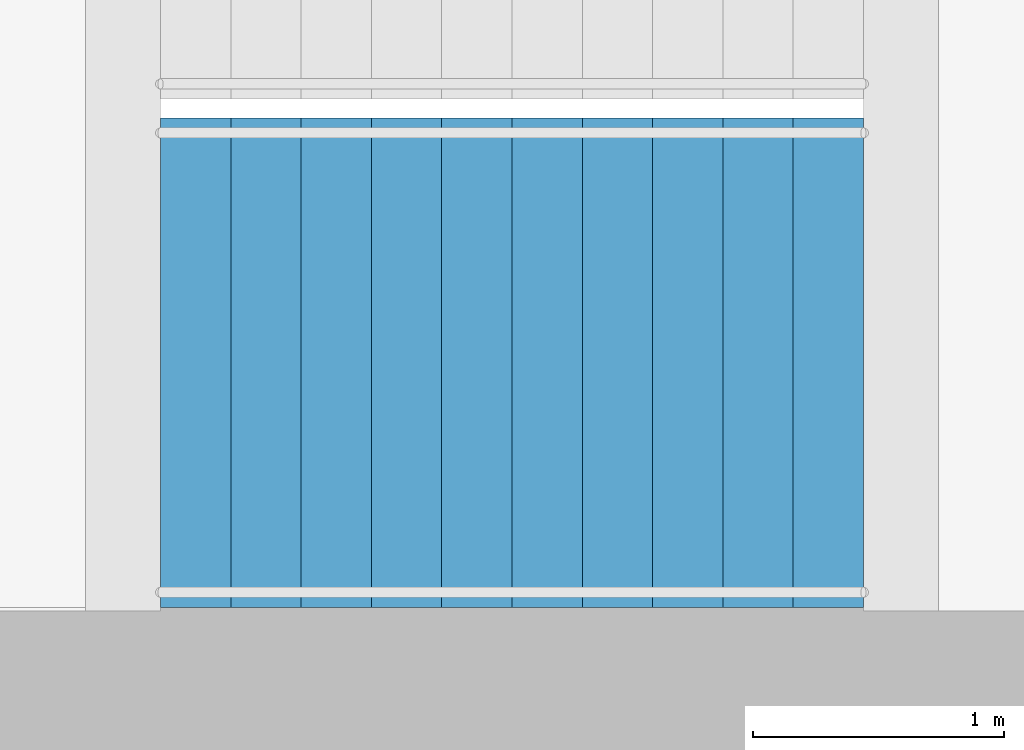
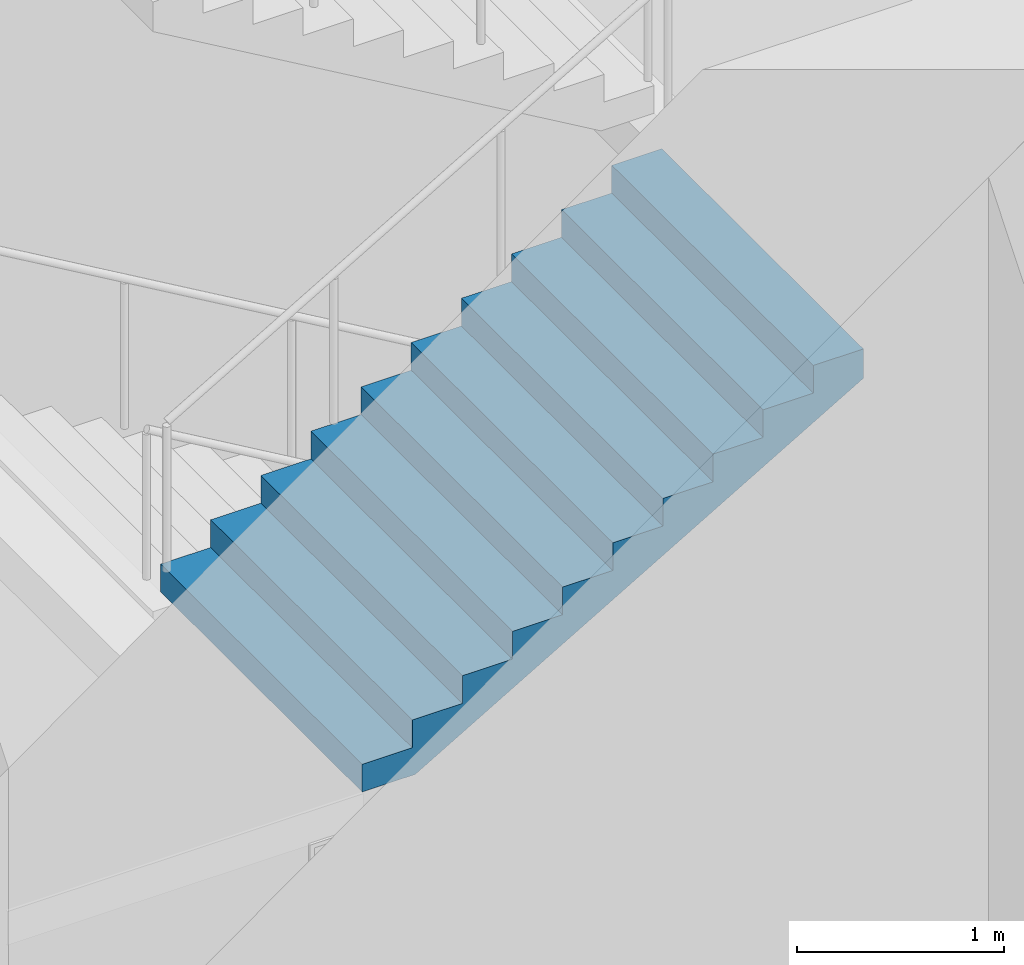
# One storey, part 15 of 22: 1 stair flight, 1 element without a shape of its own.
"""IFC4 building model written with IfcOpenShell, lengths in metres."""

from ifc_helpers import new_model, si_unit, direction, frame, origin, place, context, subcontext, project, spatial, triangles, material, type_object, element, aggregate, save


model = new_model("IFC4")

# Units and contexts
model_context = context("Model", 3, precision=1e-05, world=origin(), true_north=direction((0.0, 1.0)))
body_context = subcontext(model_context, "Body", "Model", "MODEL_VIEW")
ifc_project = project(units=[si_unit("LENGTHUNIT", "METRE"), si_unit("AREAUNIT", "SQUARE_METRE"), si_unit("VOLUMEUNIT", "CUBIC_METRE"), si_unit("PLANEANGLEUNIT", "RADIAN"), si_unit("MASSUNIT", "GRAM", prefix="KILO")], contexts=[model_context])

# Site, building, storey
site_placement = place(None, origin())
site = spatial("IfcSite", under=ifc_project, at=site_placement, CompositionType="ELEMENT")
building_placement = place(site_placement, origin())
building = spatial("IfcBuilding", under=site, at=building_placement, Name="Orbita Commons", CompositionType="ELEMENT")
storey_placement = place(building_placement, frame((0.0, 0.0, 133.14990234375)))
storey = spatial("IfcBuildingStorey", under=building, at=storey_placement, Name="L33", CompositionType="ELEMENT", Elevation=133.14990234375)

# Stair, stair flight
ifc_material_1 = material(Name="Precast concrete C40/50", Category="concrete")
stair_type = type_object("IfcStairType", Name="Exit stair S1 4 flights 11 risers 164", PredefinedType="HALF_TURN_STAIR", material=ifc_material_1)
stair_placement = place(storey_placement, origin())
stair = element("IfcStair", 1, at=stair_placement, inside=storey, type_object=stair_type, Name="Exit stair S1 L33", PredefinedType="HALF_TURN_STAIR")
ifc_material_2 = material(Name="Precast concrete C40/50", Category="concrete")
stair_flight_type = type_object("IfcStairFlightType", Name="Stair flight 11 risers 164 x 280", PredefinedType="STRAIGHT", material=ifc_material_2)
stair_flight_placement = place(storey_placement, frame((20.449951171875, 27.25, 3.60009765625), z_axis=(0.0, 0.0, 1.0), x_axis=(1.0, 0.0, 0.0)))
stair_flight = element("IfcStairFlight", 2, at=stair_flight_placement, type_object=stair_flight_type, Name="S1 flight 3", NumberOfRisers=11, NumberOfTreads=10, PredefinedType="STRAIGHT", RiserHeight=0.163636364, TreadLength=0.28, context=body_context, shape_type="Tessellation", body=[
    triangles([(0.0, 0.974976, 0.0), (0.0, 0.974976, 0.020455), (0.0, 0.81248, 0.020455), (0.0, 0.81248, 0.0), (0.0, 0.649984, 0.020455), (0.0, 0.649984, 0.0), (0.0, 0.487488, 0.020455), (0.0, 0.487488, 0.0), (0.0, 0.324992, 0.020455), (0.0, 0.324992, 0.0), (0.0, 0.162496, 0.020455), (0.0, 0.162496, 0.0), (0.0, 0.0, 0.020455), (0.0, 0.0, 0.0), (0.0, -0.162496, 0.020455), (0.0, -0.162496, 0.0), (0.0, -0.324992, 0.020455), (0.0, -0.324992, 0.0), (0.0, -0.487488, 0.020455), (0.0, -0.487488, 0.0), (0.0, -0.649984, 0.020455), (0.0, -0.649984, 0.0), (0.0, -0.81248, 0.020455), (0.0, -0.81248, 0.0), (0.0, -0.974976, 0.020455), (0.0, -0.974976, 0.0), (0.0, 0.974976, 0.040909), (0.0, 0.81248, 0.040909), (0.0, 0.649984, 0.040909), (0.0, 0.487488, 0.040909), (0.0, 0.324992, 0.040909), (0.0, 0.162496, 0.040909), (0.0, 0.0, 0.040909), (0.0, -0.162496, 0.040909), (0.0, -0.324992, 0.040909), (0.0, -0.487488, 0.040909), (0.0, -0.649984, 0.040909), (0.0, -0.81248, 0.040909), (0.0, -0.974976, 0.040909), (0.0, 0.974976, 0.061364), (0.0, 0.81248, 0.061364), (0.0, 0.649984, 0.061364), (0.0, 0.487488, 0.061364), (0.0, 0.324992, 0.061364), (0.0, 0.162496, 0.061364), (0.0, 0.0, 0.061364), (0.0, -0.162496, 0.061364), (0.0, -0.324992, 0.061364), (0.0, -0.487488, 0.061364), (0.0, -0.649984, 0.061364), (0.0, -0.81248, 0.061364), (0.0, -0.974976, 0.061364), (0.0, 0.974976, 0.081818), (0.0, 0.81248, 0.081818), (0.0, 0.649984, 0.081818), (0.0, 0.487488, 0.081818), (0.0, 0.324992, 0.081818), (0.0, 0.162496, 0.081818), (0.0, 0.0, 0.081818), (0.0, -0.162496, 0.081818), (0.0, -0.324992, 0.081818), (0.0, -0.487488, 0.081818), (0.0, -0.649984, 0.081818), (0.0, -0.81248, 0.081818), (0.0, -0.974976, 0.081818), (0.0, 0.974976, 0.102273), (0.0, 0.81248, 0.102273), (0.0, 0.649984, 0.102273), (0.0, 0.487488, 0.102273), (0.0, 0.324992, 0.102273), (0.0, 0.162496, 0.102273), (0.0, 0.0, 0.102273), (0.0, -0.162496, 0.102273), (0.0, -0.324992, 0.102273), (0.0, -0.487488, 0.102273), (0.0, -0.649984, 0.102273), (0.0, -0.81248, 0.102273), (0.0, -0.974976, 0.102273), (0.0, 0.974976, 0.122727), (0.0, 0.81248, 0.122727), (0.0, 0.649984, 0.122727), (0.0, 0.487488, 0.122727), (0.0, 0.324992, 0.122727), (0.0, 0.162496, 0.122727), (0.0, 0.0, 0.122727), (0.0, -0.162496, 0.122727), (0.0, -0.324992, 0.122727), (0.0, -0.487488, 0.122727), (0.0, -0.649984, 0.122727), (0.0, -0.81248, 0.122727), (0.0, -0.974976, 0.122727), (0.0, 0.974976, 0.143182), (0.0, 0.81248, 0.143182), (0.0, 0.649984, 0.143182), (0.0, 0.487488, 0.143182), (0.0, 0.324992, 0.143182), (0.0, 0.162496, 0.143182), (0.0, 0.0, 0.143182), (0.0, -0.162496, 0.143182), (0.0, -0.324992, 0.143182), (0.0, -0.487488, 0.143182), (0.0, -0.649984, 0.143182), (0.0, -0.81248, 0.143182), (0.0, -0.974976, 0.143182), (0.0, 0.974976, 0.163636), (0.0, 0.81248, 0.163636), (0.0, 0.649984, 0.163636), (0.0, 0.487488, 0.163636), (0.0, 0.324992, 0.163636), (0.0, 0.162496, 0.163636), (0.0, 0.0, 0.163636), (0.0, -0.162496, 0.163636), (0.0, -0.324992, 0.163636), (0.0, -0.487488, 0.163636), (0.0, -0.649984, 0.163636), (0.0, -0.81248, 0.163636), (0.0, -0.974976, 0.163636), (0.28, 0.974976, 0.163636), (0.28, 0.81248, 0.163636), (0.28, 0.649984, 0.163636), (0.28, 0.487488, 0.163636), (0.28, 0.324992, 0.163636), (0.28, 0.162496, 0.163636), (0.28, 0.0, 0.163636), (0.28, -0.162496, 0.163636), (0.28, -0.324992, 0.163636), (0.28, -0.487488, 0.163636), (0.28, -0.649984, 0.163636), (0.28, -0.81248, 0.163636), (0.28, -0.974976, 0.163636), (0.28, 0.974976, 0.327273), (0.28, 0.81248, 0.327273), (0.28, 0.649984, 0.327273), (0.28, 0.487488, 0.327273), (0.28, 0.324992, 0.327273), (0.28, 0.162496, 0.327273), (0.28, 0.0, 0.327273), (0.28, -0.162496, 0.327273), (0.28, -0.324992, 0.327273), (0.28, -0.487488, 0.327273), (0.28, -0.649984, 0.327273), (0.28, -0.81248, 0.327273), (0.28, -0.974976, 0.327273), (0.56, 0.974976, 0.327273), (0.56, 0.81248, 0.327273), (0.56, 0.649984, 0.327273), (0.56, 0.487488, 0.327273), (0.56, 0.324992, 0.327273), (0.56, 0.162496, 0.327273), (0.56, 0.0, 0.327273), (0.56, -0.162496, 0.327273), (0.56, -0.324992, 0.327273), (0.56, -0.487488, 0.327273), (0.56, -0.649984, 0.327273), (0.56, -0.81248, 0.327273), (0.56, -0.974976, 0.327273), (0.56, 0.974976, 0.490909), (0.56, 0.81248, 0.490909), (0.56, 0.649984, 0.490909), (0.56, 0.487488, 0.490909), (0.56, 0.324992, 0.490909), (0.56, 0.162496, 0.490909), (0.56, 0.0, 0.490909), (0.56, -0.162496, 0.490909), (0.56, -0.324992, 0.490909), (0.56, -0.487488, 0.490909), (0.56, -0.649984, 0.490909), (0.56, -0.81248, 0.490909), (0.56, -0.974976, 0.490909), (0.84, 0.974976, 0.490909), (0.84, 0.81248, 0.490909), (0.84, 0.649984, 0.490909), (0.84, 0.487488, 0.490909), (0.84, 0.324992, 0.490909), (0.84, 0.162496, 0.490909), (0.84, 0.0, 0.490909), (0.84, -0.162496, 0.490909), (0.84, -0.324992, 0.490909), (0.84, -0.487488, 0.490909), (0.84, -0.649984, 0.490909), (0.84, -0.81248, 0.490909), (0.84, -0.974976, 0.490909), (0.84, 0.974976, 0.654545), (0.84, 0.81248, 0.654545), (0.84, 0.649984, 0.654545), (0.84, 0.487488, 0.654545), (0.84, 0.324992, 0.654545), (0.84, 0.162496, 0.654545), (0.84, 0.0, 0.654545), (0.84, -0.162496, 0.654545), (0.84, -0.324992, 0.654545), (0.84, -0.487488, 0.654545), (0.84, -0.649984, 0.654545), (0.84, -0.81248, 0.654545), (0.84, -0.974976, 0.654545), (1.12, 0.974976, 0.654545), (1.12, 0.81248, 0.654545), (1.12, 0.649984, 0.654545), (1.12, 0.487488, 0.654545), (1.12, 0.324992, 0.654545), (1.12, 0.162496, 0.654545), (1.12, 0.0, 0.654545), (1.12, -0.162496, 0.654545), (1.12, -0.324992, 0.654545), (1.12, -0.487488, 0.654545), (1.12, -0.649984, 0.654545), (1.12, -0.81248, 0.654545), (1.12, -0.974976, 0.654545), (1.12, 0.974976, 0.818182), (1.12, 0.81248, 0.818182), (1.12, 0.649984, 0.818182), (1.12, 0.487488, 0.818182), (1.12, 0.324992, 0.818182), (1.12, 0.162496, 0.818182), (1.12, 0.0, 0.818182), (1.12, -0.162496, 0.818182), (1.12, -0.324992, 0.818182), (1.12, -0.487488, 0.818182), (1.12, -0.649984, 0.818182), (1.12, -0.81248, 0.818182), (1.12, -0.974976, 0.818182), (1.4, 0.974976, 0.818182), (1.4, 0.81248, 0.818182), (1.4, 0.649984, 0.818182), (1.4, 0.487488, 0.818182), (1.4, 0.324992, 0.818182), (1.4, 0.162496, 0.818182), (1.4, 0.0, 0.818182), (1.4, -0.162496, 0.818182), (1.4, -0.324992, 0.818182), (1.4, -0.487488, 0.818182), (1.4, -0.649984, 0.818182), (1.4, -0.81248, 0.818182), (1.4, -0.974976, 0.818182), (1.4, 0.974976, 0.981818), (1.4, 0.81248, 0.981818), (1.4, 0.649984, 0.981818), (1.4, 0.487488, 0.981818), (1.4, 0.324992, 0.981818), (1.4, 0.162496, 0.981818), (1.4, 0.0, 0.981818), (1.4, -0.162496, 0.981818), (1.4, -0.324992, 0.981818), (1.4, -0.487488, 0.981818), (1.4, -0.649984, 0.981818), (1.4, -0.81248, 0.981818), (1.4, -0.974976, 0.981818), (1.68, 0.974976, 0.981818), (1.68, 0.81248, 0.981818), (1.68, 0.649984, 0.981818), (1.68, 0.487488, 0.981818), (1.68, 0.324992, 0.981818), (1.68, 0.162496, 0.981818), (1.68, 0.0, 0.981818), (1.68, -0.162496, 0.981818), (1.68, -0.324992, 0.981818), (1.68, -0.487488, 0.981818), (1.68, -0.649984, 0.981818), (1.68, -0.81248, 0.981818), (1.68, -0.974976, 0.981818), (1.68, 0.974976, 1.145455), (1.68, 0.81248, 1.145455), (1.68, 0.649984, 1.145455), (1.68, 0.487488, 1.145455), (1.68, 0.324992, 1.145455), (1.68, 0.162496, 1.145455), (1.68, 0.0, 1.145455), (1.68, -0.162496, 1.145455), (1.68, -0.324992, 1.145455), (1.68, -0.487488, 1.145455), (1.68, -0.649984, 1.145455), (1.68, -0.81248, 1.145455), (1.68, -0.974976, 1.145455), (1.96, 0.974976, 1.145455), (1.96, 0.81248, 1.145455), (1.96, 0.649984, 1.145455), (1.96, 0.487488, 1.145455), (1.96, 0.324992, 1.145455), (1.96, 0.162496, 1.145455), (1.96, 0.0, 1.145455), (1.96, -0.162496, 1.145455), (1.96, -0.324992, 1.145455), (1.96, -0.487488, 1.145455), (1.96, -0.649984, 1.145455), (1.96, -0.81248, 1.145455), (1.96, -0.974976, 1.145455), (1.96, 0.974976, 1.309091), (1.96, 0.81248, 1.309091), (1.96, 0.649984, 1.309091), (1.96, 0.487488, 1.309091), (1.96, 0.324992, 1.309091), (1.96, 0.162496, 1.309091), (1.96, 0.0, 1.309091), (1.96, -0.162496, 1.309091), (1.96, -0.324992, 1.309091), (1.96, -0.487488, 1.309091), (1.96, -0.649984, 1.309091), (1.96, -0.81248, 1.309091), (1.96, -0.974976, 1.309091), (2.24, 0.974976, 1.309091), (2.24, 0.81248, 1.309091), (2.24, 0.649984, 1.309091), (2.24, 0.487488, 1.309091), (2.24, 0.324992, 1.309091), (2.24, 0.162496, 1.309091), (2.24, 0.0, 1.309091), (2.24, -0.162496, 1.309091), (2.24, -0.324992, 1.309091), (2.24, -0.487488, 1.309091), (2.24, -0.649984, 1.309091), (2.24, -0.81248, 1.309091), (2.24, -0.974976, 1.309091), (2.24, 0.974976, 1.472727), (2.24, 0.81248, 1.472727), (2.24, 0.649984, 1.472727), (2.24, 0.487488, 1.472727), (2.24, 0.324992, 1.472727), (2.24, 0.162496, 1.472727), (2.24, 0.0, 1.472727), (2.24, -0.162496, 1.472727), (2.24, -0.324992, 1.472727), (2.24, -0.487488, 1.472727), (2.24, -0.649984, 1.472727), (2.24, -0.81248, 1.472727), (2.24, -0.974976, 1.472727), (2.52, 0.974976, 1.472727), (2.52, 0.81248, 1.472727), (2.52, 0.649984, 1.472727), (2.52, 0.487488, 1.472727), (2.52, 0.324992, 1.472727), (2.52, 0.162496, 1.472727), (2.52, 0.0, 1.472727), (2.52, -0.162496, 1.472727), (2.52, -0.324992, 1.472727), (2.52, -0.487488, 1.472727), (2.52, -0.649984, 1.472727), (2.52, -0.81248, 1.472727), (2.52, -0.974976, 1.472727), (2.52, 0.974976, 1.636364), (2.52, 0.81248, 1.636364), (2.52, 0.649984, 1.636364), (2.52, 0.487488, 1.636364), (2.52, 0.324992, 1.636364), (2.52, 0.162496, 1.636364), (2.52, 0.0, 1.636364), (2.52, -0.162496, 1.636364), (2.52, -0.324992, 1.636364), (2.52, -0.487488, 1.636364), (2.52, -0.649984, 1.636364), (2.52, -0.81248, 1.636364), (2.52, -0.974976, 1.636364), (2.8, 0.974976, 1.636364), (2.8, 0.81248, 1.636364), (2.8, 0.649984, 1.636364), (2.8, 0.487488, 1.636364), (2.8, 0.324992, 1.636364), (2.8, 0.162496, 1.636364), (2.8, 0.0, 1.636364), (2.8, -0.162496, 1.636364), (2.8, -0.324992, 1.636364), (2.8, -0.487488, 1.636364), (2.8, -0.649984, 1.636364), (2.8, -0.81248, 1.636364), (2.8, -0.974976, 1.636364), (2.8, 0.974976, 1.614661), (2.8, 0.81248, 1.614661), (2.8, 0.649984, 1.614661), (2.8, 0.487488, 1.614661), (2.8, 0.324992, 1.614661), (2.8, 0.162496, 1.614661), (2.8, 0.0, 1.614661), (2.8, -0.162496, 1.614661), (2.8, -0.324992, 1.614661), (2.8, -0.487488, 1.614661), (2.8, -0.649984, 1.614661), (2.8, -0.81248, 1.614661), (2.8, -0.974976, 1.614661), (2.8, 0.974976, 1.592958), (2.8, 0.81248, 1.592958), (2.8, 0.649984, 1.592958), (2.8, 0.487488, 1.592958), (2.8, 0.324992, 1.592958), (2.8, 0.162496, 1.592958), (2.8, 0.0, 1.592958), (2.8, -0.162496, 1.592958), (2.8, -0.324992, 1.592958), (2.8, -0.487488, 1.592958), (2.8, -0.649984, 1.592958), (2.8, -0.81248, 1.592958), (2.8, -0.974976, 1.592958), (2.8, 0.974976, 1.571255), (2.8, 0.81248, 1.571255), (2.8, 0.649984, 1.571255), (2.8, 0.487488, 1.571255), (2.8, 0.324992, 1.571255), (2.8, 0.162496, 1.571255), (2.8, 0.0, 1.571255), (2.8, -0.162496, 1.571255), (2.8, -0.324992, 1.571255), (2.8, -0.487488, 1.571255), (2.8, -0.649984, 1.571255), (2.8, -0.81248, 1.571255), (2.8, -0.974976, 1.571255), (2.8, 0.974976, 1.549551), (2.8, 0.81248, 1.549551), (2.8, 0.649984, 1.549551), (2.8, 0.487488, 1.549551), (2.8, 0.324992, 1.549551), (2.8, 0.162496, 1.549551), (2.8, 0.0, 1.549551), (2.8, -0.162496, 1.549551), (2.8, -0.324992, 1.549551), (2.8, -0.487488, 1.549551), (2.8, -0.649984, 1.549551), (2.8, -0.81248, 1.549551), (2.8, -0.974976, 1.549551), (2.8, 0.974976, 1.527848), (2.8, 0.81248, 1.527848), (2.8, 0.649984, 1.527848), (2.8, 0.487488, 1.527848), (2.8, 0.324992, 1.527848), (2.8, 0.162496, 1.527848), (2.8, 0.0, 1.527848), (2.8, -0.162496, 1.527848), (2.8, -0.324992, 1.527848), (2.8, -0.487488, 1.527848), (2.8, -0.649984, 1.527848), (2.8, -0.81248, 1.527848), (2.8, -0.974976, 1.527848), (2.8, 0.974976, 1.506145), (2.8, 0.81248, 1.506145), (2.8, 0.649984, 1.506145), (2.8, 0.487488, 1.506145), (2.8, 0.324992, 1.506145), (2.8, 0.162496, 1.506145), (2.8, 0.0, 1.506145), (2.8, -0.162496, 1.506145), (2.8, -0.324992, 1.506145), (2.8, -0.487488, 1.506145), (2.8, -0.649984, 1.506145), (2.8, -0.81248, 1.506145), (2.8, -0.974976, 1.506145), (2.8, 0.974976, 1.484442), (2.8, 0.81248, 1.484442), (2.8, 0.649984, 1.484442), (2.8, 0.487488, 1.484442), (2.8, 0.324992, 1.484442), (2.8, 0.162496, 1.484442), (2.8, 0.0, 1.484442), (2.8, -0.162496, 1.484442), (2.8, -0.324992, 1.484442), (2.8, -0.487488, 1.484442), (2.8, -0.649984, 1.484442), (2.8, -0.81248, 1.484442), (2.8, -0.974976, 1.484442), (2.8, 0.974976, 1.462739), (2.8, 0.81248, 1.462739), (2.8, 0.649984, 1.462739), (2.8, 0.487488, 1.462739), (2.8, 0.324992, 1.462739), (2.8, 0.162496, 1.462739), (2.8, 0.0, 1.462739), (2.8, -0.162496, 1.462739), (2.8, -0.324992, 1.462739), (2.8, -0.487488, 1.462739), (2.8, -0.649984, 1.462739), (2.8, -0.81248, 1.462739), (2.8, -0.974976, 1.462739), (0.29709, 0.974976, 0.0), (0.29709, 0.81248, 0.0), (0.29709, 0.649984, 0.0), (0.29709, 0.487488, 0.0), (0.29709, 0.324992, 0.0), (0.29709, 0.162496, 0.0), (0.29709, 0.0, 0.0), (0.29709, -0.162496, 0.0), (0.29709, -0.324992, 0.0), (0.29709, -0.487488, 0.0), (0.29709, -0.649984, 0.0), (0.29709, -0.81248, 0.0), (0.29709, -0.974976, 0.0)], [[3, 2, 1], [4, 3, 1], [5, 3, 4], [6, 5, 4], [7, 5, 6], [8, 7, 6], [9, 7, 8], [10, 9, 8], [11, 9, 10], [12, 11, 10], [13, 11, 12], [14, 13, 12], [15, 13, 14], [16, 15, 14], [17, 15, 16], [18, 17, 16], [19, 17, 18], [20, 19, 18], [21, 19, 20], [22, 21, 20], [23, 21, 22], [24, 23, 22], [25, 23, 24], [26, 25, 24], [28, 27, 2], [3, 28, 2], [29, 28, 3], [5, 29, 3], [30, 29, 5], [7, 30, 5], [31, 30, 7], [9, 31, 7], [32, 31, 9], [11, 32, 9], [33, 32, 11], [13, 33, 11], [34, 33, 13], [15, 34, 13], [35, 34, 15], [17, 35, 15], [36, 35, 17], [19, 36, 17], [37, 36, 19], [21, 37, 19], [38, 37, 21], [23, 38, 21], [39, 38, 23], [25, 39, 23], [41, 40, 27], [28, 41, 27], [42, 41, 28], [29, 42, 28], [43, 42, 29], [30, 43, 29], [44, 43, 30], [31, 44, 30], [45, 44, 31], [32, 45, 31], [46, 45, 32], [33, 46, 32], [47, 46, 33], [34, 47, 33], [48, 47, 34], [35, 48, 34], [49, 48, 35], [36, 49, 35], [50, 49, 36], [37, 50, 36], [51, 50, 37], [38, 51, 37], [52, 51, 38], [39, 52, 38], [54, 53, 40], [41, 54, 40], [55, 54, 41], [42, 55, 41], [56, 55, 42], [43, 56, 42], [57, 56, 43], [44, 57, 43], [58, 57, 44], [45, 58, 44], [59, 58, 45], [46, 59, 45], [60, 59, 46], [47, 60, 46], [61, 60, 47], [48, 61, 47], [62, 61, 48], [49, 62, 48], [63, 62, 49], [50, 63, 49], [64, 63, 50], [51, 64, 50], [65, 64, 51], [52, 65, 51], [67, 66, 53], [54, 67, 53], [68, 67, 54], [55, 68, 54], [69, 68, 55], [56, 69, 55], [70, 69, 56], [57, 70, 56], [71, 70, 57], [58, 71, 57], [72, 71, 58], [59, 72, 58], [73, 72, 59], [60, 73, 59], [74, 73, 60], [61, 74, 60], [75, 74, 61], [62, 75, 61], [76, 75, 62], [63, 76, 62], [77, 76, 63], [64, 77, 63], [78, 77, 64], [65, 78, 64], [80, 79, 66], [67, 80, 66], [81, 80, 67], [68, 81, 67], [82, 81, 68], [69, 82, 68], [83, 82, 69], [70, 83, 69], [84, 83, 70], [71, 84, 70], [85, 84, 71], [72, 85, 71], [86, 85, 72], [73, 86, 72], [87, 86, 73], [74, 87, 73], [88, 87, 74], [75, 88, 74], [89, 88, 75], [76, 89, 75], [90, 89, 76], [77, 90, 76], [91, 90, 77], [78, 91, 77], [93, 92, 79], [80, 93, 79], [94, 93, 80], [81, 94, 80], [95, 94, 81], [82, 95, 81], [96, 95, 82], [83, 96, 82], [97, 96, 83], [84, 97, 83], [98, 97, 84], [85, 98, 84], [99, 98, 85], [86, 99, 85], [100, 99, 86], [87, 100, 86], [101, 100, 87], [88, 101, 87], [102, 101, 88], [89, 102, 88], [103, 102, 89], [90, 103, 89], [104, 103, 90], [91, 104, 90], [106, 105, 92], [93, 106, 92], [107, 106, 93], [94, 107, 93], [108, 107, 94], [95, 108, 94], [109, 108, 95], [96, 109, 95], [110, 109, 96], [97, 110, 96], [111, 110, 97], [98, 111, 97], [112, 111, 98], [99, 112, 98], [113, 112, 99], [100, 113, 99], [114, 113, 100], [101, 114, 100], [115, 114, 101], [102, 115, 101], [116, 115, 102], [103, 116, 102], [117, 116, 103], [104, 117, 103], [119, 118, 105], [106, 119, 105], [120, 119, 106], [107, 120, 106], [121, 120, 107], [108, 121, 107], [122, 121, 108], [109, 122, 108], [123, 122, 109], [110, 123, 109], [124, 123, 110], [111, 124, 110], [125, 124, 111], [112, 125, 111], [126, 125, 112], [113, 126, 112], [127, 126, 113], [114, 127, 113], [128, 127, 114], [115, 128, 114], [129, 128, 115], [116, 129, 115], [130, 129, 116], [117, 130, 116], [132, 131, 118], [119, 132, 118], [133, 132, 119], [120, 133, 119], [134, 133, 120], [121, 134, 120], [135, 134, 121], [122, 135, 121], [136, 135, 122], [123, 136, 122], [137, 136, 123], [124, 137, 123], [138, 137, 124], [125, 138, 124], [139, 138, 125], [126, 139, 125], [140, 139, 126], [127, 140, 126], [141, 140, 127], [128, 141, 127], [142, 141, 128], [129, 142, 128], [143, 142, 129], [130, 143, 129], [145, 144, 131], [132, 145, 131], [146, 145, 132], [133, 146, 132], [147, 146, 133], [134, 147, 133], [148, 147, 134], [135, 148, 134], [149, 148, 135], [136, 149, 135], [150, 149, 136], [137, 150, 136], [151, 150, 137], [138, 151, 137], [152, 151, 138], [139, 152, 138], [153, 152, 139], [140, 153, 139], [154, 153, 140], [141, 154, 140], [155, 154, 141], [142, 155, 141], [156, 155, 142], [143, 156, 142], [158, 157, 144], [145, 158, 144], [159, 158, 145], [146, 159, 145], [160, 159, 146], [147, 160, 146], [161, 160, 147], [148, 161, 147], [162, 161, 148], [149, 162, 148], [163, 162, 149], [150, 163, 149], [164, 163, 150], [151, 164, 150], [165, 164, 151], [152, 165, 151], [166, 165, 152], [153, 166, 152], [167, 166, 153], [154, 167, 153], [168, 167, 154], [155, 168, 154], [169, 168, 155], [156, 169, 155], [171, 170, 157], [158, 171, 157], [172, 171, 158], [159, 172, 158], [173, 172, 159], [160, 173, 159], [174, 173, 160], [161, 174, 160], [175, 174, 161], [162, 175, 161], [176, 175, 162], [163, 176, 162], [177, 176, 163], [164, 177, 163], [178, 177, 164], [165, 178, 164], [179, 178, 165], [166, 179, 165], [180, 179, 166], [167, 180, 166], [181, 180, 167], [168, 181, 167], [182, 181, 168], [169, 182, 168], [184, 183, 170], [171, 184, 170], [185, 184, 171], [172, 185, 171], [186, 185, 172], [173, 186, 172], [187, 186, 173], [174, 187, 173], [188, 187, 174], [175, 188, 174], [189, 188, 175], [176, 189, 175], [190, 189, 176], [177, 190, 176], [191, 190, 177], [178, 191, 177], [192, 191, 178], [179, 192, 178], [193, 192, 179], [180, 193, 179], [194, 193, 180], [181, 194, 180], [195, 194, 181], [182, 195, 181], [197, 196, 183], [184, 197, 183], [198, 197, 184], [185, 198, 184], [199, 198, 185], [186, 199, 185], [200, 199, 186], [187, 200, 186], [201, 200, 187], [188, 201, 187], [202, 201, 188], [189, 202, 188], [203, 202, 189], [190, 203, 189], [204, 203, 190], [191, 204, 190], [205, 204, 191], [192, 205, 191], [206, 205, 192], [193, 206, 192], [207, 206, 193], [194, 207, 193], [208, 207, 194], [195, 208, 194], [210, 209, 196], [197, 210, 196], [211, 210, 197], [198, 211, 197], [212, 211, 198], [199, 212, 198], [213, 212, 199], [200, 213, 199], [214, 213, 200], [201, 214, 200], [215, 214, 201], [202, 215, 201], [216, 215, 202], [203, 216, 202], [217, 216, 203], [204, 217, 203], [218, 217, 204], [205, 218, 204], [219, 218, 205], [206, 219, 205], [220, 219, 206], [207, 220, 206], [221, 220, 207], [208, 221, 207], [223, 222, 209], [210, 223, 209], [224, 223, 210], [211, 224, 210], [225, 224, 211], [212, 225, 211], [226, 225, 212], [213, 226, 212], [227, 226, 213], [214, 227, 213], [228, 227, 214], [215, 228, 214], [229, 228, 215], [216, 229, 215], [230, 229, 216], [217, 230, 216], [231, 230, 217], [218, 231, 217], [232, 231, 218], [219, 232, 218], [233, 232, 219], [220, 233, 219], [234, 233, 220], [221, 234, 220], [236, 235, 222], [223, 236, 222], [237, 236, 223], [224, 237, 223], [238, 237, 224], [225, 238, 224], [239, 238, 225], [226, 239, 225], [240, 239, 226], [227, 240, 226], [241, 240, 227], [228, 241, 227], [242, 241, 228], [229, 242, 228], [243, 242, 229], [230, 243, 229], [244, 243, 230], [231, 244, 230], [245, 244, 231], [232, 245, 231], [246, 245, 232], [233, 246, 232], [247, 246, 233], [234, 247, 233], [249, 248, 235], [236, 249, 235], [250, 249, 236], [237, 250, 236], [251, 250, 237], [238, 251, 237], [252, 251, 238], [239, 252, 238], [253, 252, 239], [240, 253, 239], [254, 253, 240], [241, 254, 240], [255, 254, 241], [242, 255, 241], [256, 255, 242], [243, 256, 242], [257, 256, 243], [244, 257, 243], [258, 257, 244], [245, 258, 244], [259, 258, 245], [246, 259, 245], [260, 259, 246], [247, 260, 246], [262, 261, 248], [249, 262, 248], [263, 262, 249], [250, 263, 249], [264, 263, 250], [251, 264, 250], [265, 264, 251], [252, 265, 251], [266, 265, 252], [253, 266, 252], [267, 266, 253], [254, 267, 253], [268, 267, 254], [255, 268, 254], [269, 268, 255], [256, 269, 255], [270, 269, 256], [257, 270, 256], [271, 270, 257], [258, 271, 257], [272, 271, 258], [259, 272, 258], [273, 272, 259], [260, 273, 259], [275, 274, 261], [262, 275, 261], [276, 275, 262], [263, 276, 262], [277, 276, 263], [264, 277, 263], [278, 277, 264], [265, 278, 264], [279, 278, 265], [266, 279, 265], [280, 279, 266], [267, 280, 266], [281, 280, 267], [268, 281, 267], [282, 281, 268], [269, 282, 268], [283, 282, 269], [270, 283, 269], [284, 283, 270], [271, 284, 270], [285, 284, 271], [272, 285, 271], [286, 285, 272], [273, 286, 272], [288, 287, 274], [275, 288, 274], [289, 288, 275], [276, 289, 275], [290, 289, 276], [277, 290, 276], [291, 290, 277], [278, 291, 277], [292, 291, 278], [279, 292, 278], [293, 292, 279], [280, 293, 279], [294, 293, 280], [281, 294, 280], [295, 294, 281], [282, 295, 281], [296, 295, 282], [283, 296, 282], [297, 296, 283], [284, 297, 283], [298, 297, 284], [285, 298, 284], [299, 298, 285], [286, 299, 285], [301, 300, 287], [288, 301, 287], [302, 301, 288], [289, 302, 288], [303, 302, 289], [290, 303, 289], [304, 303, 290], [291, 304, 290], [305, 304, 291], [292, 305, 291], [306, 305, 292], [293, 306, 292], [307, 306, 293], [294, 307, 293], [308, 307, 294], [295, 308, 294], [309, 308, 295], [296, 309, 295], [310, 309, 296], [297, 310, 296], [311, 310, 297], [298, 311, 297], [312, 311, 298], [299, 312, 298], [314, 313, 300], [301, 314, 300], [315, 314, 301], [302, 315, 301], [316, 315, 302], [303, 316, 302], [317, 316, 303], [304, 317, 303], [318, 317, 304], [305, 318, 304], [319, 318, 305], [306, 319, 305], [320, 319, 306], [307, 320, 306], [321, 320, 307], [308, 321, 307], [322, 321, 308], [309, 322, 308], [323, 322, 309], [310, 323, 309], [324, 323, 310], [311, 324, 310], [325, 324, 311], [312, 325, 311], [327, 326, 313], [314, 327, 313], [328, 327, 314], [315, 328, 314], [329, 328, 315], [316, 329, 315], [330, 329, 316], [317, 330, 316], [331, 330, 317], [318, 331, 317], [332, 331, 318], [319, 332, 318], [333, 332, 319], [320, 333, 319], [334, 333, 320], [321, 334, 320], [335, 334, 321], [322, 335, 321], [336, 335, 322], [323, 336, 322], [337, 336, 323], [324, 337, 323], [338, 337, 324], [325, 338, 324], [340, 339, 326], [327, 340, 326], [341, 340, 327], [328, 341, 327], [342, 341, 328], [329, 342, 328], [343, 342, 329], [330, 343, 329], [344, 343, 330], [331, 344, 330], [345, 344, 331], [332, 345, 331], [346, 345, 332], [333, 346, 332], [347, 346, 333], [334, 347, 333], [348, 347, 334], [335, 348, 334], [349, 348, 335], [336, 349, 335], [350, 349, 336], [337, 350, 336], [351, 350, 337], [338, 351, 337], [353, 352, 339], [340, 353, 339], [354, 353, 340], [341, 354, 340], [355, 354, 341], [342, 355, 341], [356, 355, 342], [343, 356, 342], [357, 356, 343], [344, 357, 343], [358, 357, 344], [345, 358, 344], [359, 358, 345], [346, 359, 345], [360, 359, 346], [347, 360, 346], [361, 360, 347], [348, 361, 347], [362, 361, 348], [349, 362, 348], [363, 362, 349], [350, 363, 349], [364, 363, 350], [351, 364, 350], [366, 365, 352], [353, 366, 352], [367, 366, 353], [354, 367, 353], [368, 367, 354], [355, 368, 354], [369, 368, 355], [356, 369, 355], [370, 369, 356], [357, 370, 356], [371, 370, 357], [358, 371, 357], [372, 371, 358], [359, 372, 358], [373, 372, 359], [360, 373, 359], [374, 373, 360], [361, 374, 360], [375, 374, 361], [362, 375, 361], [376, 375, 362], [363, 376, 362], [377, 376, 363], [364, 377, 363], [379, 378, 365], [366, 379, 365], [380, 379, 366], [367, 380, 366], [381, 380, 367], [368, 381, 367], [382, 381, 368], [369, 382, 368], [383, 382, 369], [370, 383, 369], [384, 383, 370], [371, 384, 370], [385, 384, 371], [372, 385, 371], [386, 385, 372], [373, 386, 372], [387, 386, 373], [374, 387, 373], [388, 387, 374], [375, 388, 374], [389, 388, 375], [376, 389, 375], [390, 389, 376], [377, 390, 376], [392, 391, 378], [379, 392, 378], [393, 392, 379], [380, 393, 379], [394, 393, 380], [381, 394, 380], [395, 394, 381], [382, 395, 381], [396, 395, 382], [383, 396, 382], [397, 396, 383], [384, 397, 383], [398, 397, 384], [385, 398, 384], [399, 398, 385], [386, 399, 385], [400, 399, 386], [387, 400, 386], [401, 400, 387], [388, 401, 387], [402, 401, 388], [389, 402, 388], [403, 402, 389], [390, 403, 389], [405, 404, 391], [392, 405, 391], [406, 405, 392], [393, 406, 392], [407, 406, 393], [394, 407, 393], [408, 407, 394], [395, 408, 394], [409, 408, 395], [396, 409, 395], [410, 409, 396], [397, 410, 396], [411, 410, 397], [398, 411, 397], [412, 411, 398], [399, 412, 398], [413, 412, 399], [400, 413, 399], [414, 413, 400], [401, 414, 400], [415, 414, 401], [402, 415, 401], [416, 415, 402], [403, 416, 402], [418, 417, 404], [405, 418, 404], [419, 418, 405], [406, 419, 405], [420, 419, 406], [407, 420, 406], [421, 420, 407], [408, 421, 407], [422, 421, 408], [409, 422, 408], [423, 422, 409], [410, 423, 409], [424, 423, 410], [411, 424, 410], [425, 424, 411], [412, 425, 411], [426, 425, 412], [413, 426, 412], [427, 426, 413], [414, 427, 413], [428, 427, 414], [415, 428, 414], [429, 428, 415], [416, 429, 415], [431, 430, 417], [418, 431, 417], [432, 431, 418], [419, 432, 418], [433, 432, 419], [420, 433, 419], [434, 433, 420], [421, 434, 420], [435, 434, 421], [422, 435, 421], [436, 435, 422], [423, 436, 422], [437, 436, 423], [424, 437, 423], [438, 437, 424], [425, 438, 424], [439, 438, 425], [426, 439, 425], [440, 439, 426], [427, 440, 426], [441, 440, 427], [428, 441, 427], [442, 441, 428], [429, 442, 428], [444, 443, 430], [431, 444, 430], [445, 444, 431], [432, 445, 431], [446, 445, 432], [433, 446, 432], [447, 446, 433], [434, 447, 433], [448, 447, 434], [435, 448, 434], [449, 448, 435], [436, 449, 435], [450, 449, 436], [437, 450, 436], [451, 450, 437], [438, 451, 437], [452, 451, 438], [439, 452, 438], [453, 452, 439], [440, 453, 439], [454, 453, 440], [441, 454, 440], [455, 454, 441], [442, 455, 441], [457, 456, 443], [444, 457, 443], [458, 457, 444], [445, 458, 444], [459, 458, 445], [446, 459, 445], [460, 459, 446], [447, 460, 446], [461, 460, 447], [448, 461, 447], [462, 461, 448], [449, 462, 448], [463, 462, 449], [450, 463, 449], [464, 463, 450], [451, 464, 450], [465, 464, 451], [452, 465, 451], [466, 465, 452], [453, 466, 452], [467, 466, 453], [454, 467, 453], [468, 467, 454], [455, 468, 454], [470, 469, 456], [457, 470, 456], [471, 470, 457], [458, 471, 457], [472, 471, 458], [459, 472, 458], [473, 472, 459], [460, 473, 459], [474, 473, 460], [461, 474, 460], [475, 474, 461], [462, 475, 461], [476, 475, 462], [463, 476, 462], [477, 476, 463], [464, 477, 463], [478, 477, 464], [465, 478, 464], [479, 478, 465], [466, 479, 465], [480, 479, 466], [467, 480, 466], [481, 480, 467], [468, 481, 467], [4, 1, 469], [470, 4, 469], [6, 4, 470], [471, 6, 470], [8, 6, 471], [472, 8, 471], [10, 8, 472], [473, 10, 472], [12, 10, 473], [474, 12, 473], [14, 12, 474], [475, 14, 474], [16, 14, 475], [476, 16, 475], [18, 16, 476], [477, 18, 476], [20, 18, 477], [478, 20, 477], [22, 20, 478], [479, 22, 478], [24, 22, 479], [480, 24, 479], [26, 24, 480], [481, 26, 480], [456, 469, 1], [26, 481, 468], [443, 456, 1], [26, 468, 455], [430, 443, 1], [26, 455, 442], [417, 430, 1], [26, 442, 429], [404, 417, 1], [26, 429, 416], [391, 404, 1], [26, 416, 403], [378, 391, 1], [26, 403, 390], [365, 378, 1], [26, 390, 377], [339, 352, 365], [377, 364, 351], [326, 339, 365], [377, 351, 338], [300, 313, 326], [338, 325, 312], [300, 326, 365], [377, 338, 312], [274, 287, 300], [312, 299, 286], [274, 300, 365], [377, 312, 286], [248, 261, 274], [286, 273, 260], [248, 274, 365], [377, 286, 260], [222, 235, 248], [260, 247, 234], [222, 248, 365], [377, 260, 234], [196, 209, 222], [234, 221, 208], [196, 222, 365], [377, 234, 208], [170, 183, 196], [208, 195, 182], [170, 196, 365], [377, 208, 182], [144, 157, 170], [182, 169, 156], [144, 170, 365], [377, 182, 156], [118, 131, 144], [156, 143, 130], [118, 144, 365], [377, 156, 130], [118, 365, 1], [26, 377, 130], [92, 105, 118], [130, 117, 104], [79, 92, 118], [130, 104, 91], [66, 79, 118], [130, 91, 78], [53, 66, 118], [130, 78, 65], [40, 53, 118], [130, 65, 52], [27, 40, 118], [130, 52, 39], [2, 27, 118], [130, 39, 25], [1, 2, 118], [130, 25, 26]], closed=True),
])
aggregate(stair, [stair_flight])

save(model, "model.ifc")
